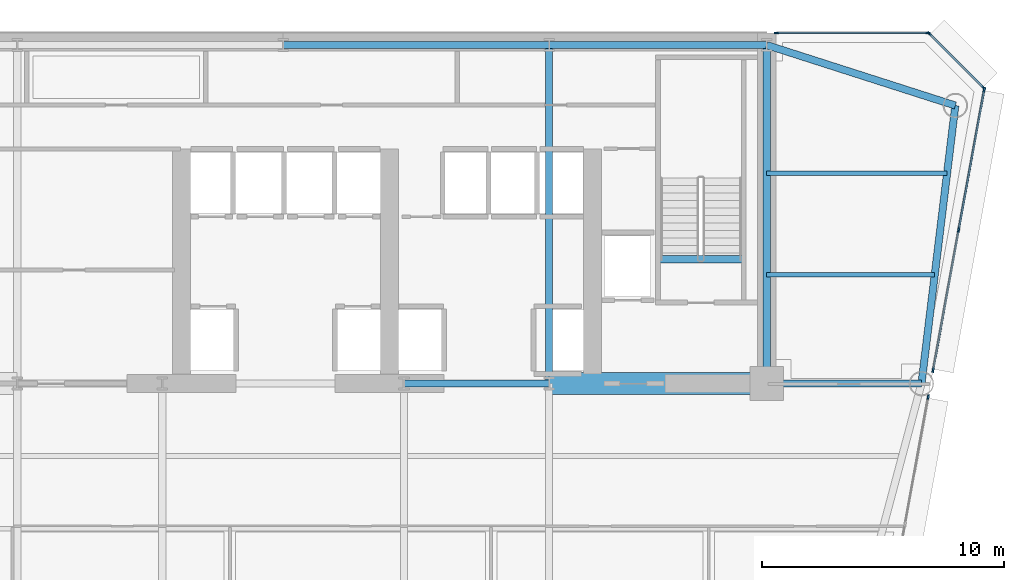
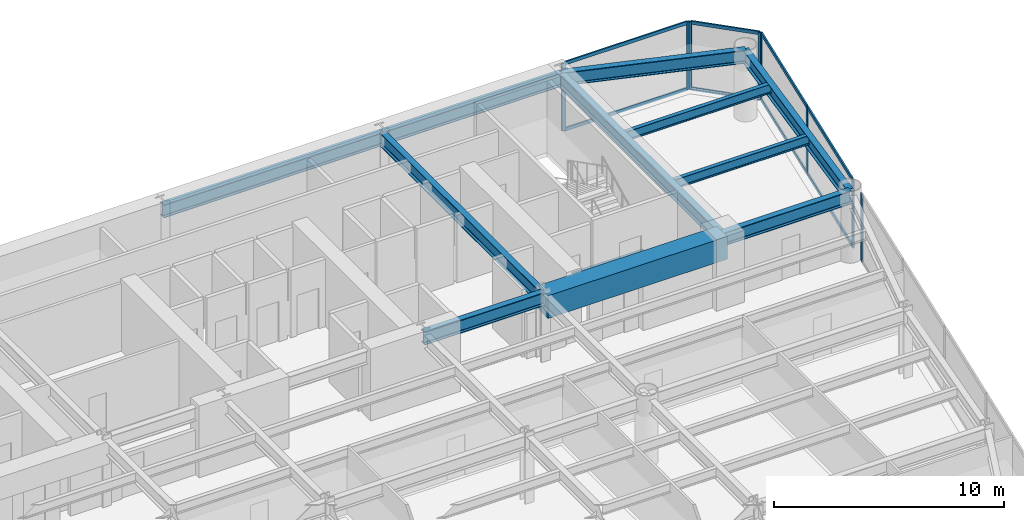
# One storey, part 6 of 14: 16 members, 12 beams, 4 elements without a shape of their own.
"""IFC4 building model written with IfcOpenShell, lengths in metres."""

from ifc_helpers import new_model, si_unit, direction, frame, origin, origin_2d, place, context, subcontext, project, spatial, rectangle, i_section, extrude, source, transform, mapped, material, layer, layer_set, material_profile, profile_set, type_object, element, aggregate, save


model = new_model("IFC4")

# Units and contexts
model_context = context("Model", 3, precision=1e-05, world=origin(), true_north=direction((0.0, 1.0)))
body_context = subcontext(model_context, "Body", "Model", "MODEL_VIEW")
ifc_project = project(units=[si_unit("LENGTHUNIT", "METRE"), si_unit("AREAUNIT", "SQUARE_METRE"), si_unit("VOLUMEUNIT", "CUBIC_METRE"), si_unit("PLANEANGLEUNIT", "RADIAN"), si_unit("MASSUNIT", "GRAM", prefix="KILO")], contexts=[model_context])

# Site, building, storey
site_placement = place(None, origin())
site = spatial("IfcSite", under=ifc_project, at=site_placement, CompositionType="ELEMENT")
building_placement = place(site_placement, origin())
building = spatial("IfcBuilding", under=site, at=building_placement, Name="Vaeldorn Concourse Tower", CompositionType="ELEMENT")
storey_placement = place(building_placement, frame((0.0, 0.0, 114.800048828125)))
storey = spatial("IfcBuildingStorey", under=building, at=storey_placement, Name="L29", CompositionType="ELEMENT", Elevation=114.800048828125)

# Beams
ifc_material_1 = material(Name="Concrete C60/75", Category="concrete")
ifc_material_profile_1 = material_profile(ifc_material_1, rectangle(XDim=0.89990234375, YDim=1.199951171875, at=origin_2d()), Name="RC 900x1200")
ifc_profile_set_1 = profile_set([ifc_material_profile_1], Name="Concrete C60/75")
beam_type_1 = type_object("IfcBeamType", Name="BM-CB-RC900", PredefinedType="BEAM", material=ifc_profile_set_1)
shared_shape_1 = source(origin(), body_context, "Body", "SweptSolid", [
    extrude(rectangle(XDim=0.89990234375, YDim=1.199951171875, at=origin_2d()), origin(), (0.0, 0.0, 1.0), 9.0),
])
beam_1_placement = place(storey_placement, frame((45.0, 36.5, 2.97998046875), z_axis=(1.0, 0.0, 0.0), x_axis=(0.0, 1.0, 0.0)))
element("IfcBeam", 1, at=beam_1_placement, inside=storey, type_object=beam_type_1, Name="Core Coupling Beam L29-2", PredefinedType="BEAM", context=body_context, shape_type="MappedRepresentation", body=[
    mapped(shared_shape_1, transform((0.0, 0.0, 0.0), scale=1.0)),
])
ifc_material_2 = material(Name="Steel S355", Category="steel")
ifc_material_profile_2 = material_profile(ifc_material_2, i_section(OverallWidth=0.300048828125, OverallDepth=0.340087890625, WebThickness=0.011962890625, FlangeThickness=0.021484375, FilletRadius=0.027099609375, at=origin_2d()), Name="HEB 340")
ifc_profile_set_2 = profile_set([ifc_material_profile_2], Name="Steel S355")
beam_type_2 = type_object("IfcBeamType", Name="BM-ST-TRIM", PredefinedType="BEAM", material=ifc_profile_set_2)
shared_shape_2 = source(origin(), body_context, "Body", "SweptSolid", [
    extrude(i_section(OverallWidth=0.300048828125, OverallDepth=0.340087890625, WebThickness=0.011962890625, FlangeThickness=0.021484375, FilletRadius=0.027099609375, at=origin_2d()), origin(), (0.0, 0.0, 1.0), 3.590087890625),
])
beam_2_placement = place(storey_placement, frame((49.47998046875, 41.639892578125, -0.39013671875), z_axis=(1.0, 0.0, 0.0), x_axis=(0.0, 1.0, 0.0)))
element("IfcBeam", 2, at=beam_2_placement, inside=storey, type_object=beam_type_2, Name="Stair Landing Trimmer Beam ST-2 L29", PredefinedType="BEAM", context=body_context, shape_type="MappedRepresentation", body=[
    mapped(shared_shape_2, transform((0.0, 0.0, 0.0), scale=1.0)),
])
ifc_material_profile_3 = material_profile(ifc_material_2, i_section(OverallWidth=0.199951171875, OverallDepth=0.5, WebThickness=0.01025390625, FlangeThickness=0.01611328125, FilletRadius=0.02099609375, at=origin_2d()), Name="IPE 500")
ifc_profile_set_3 = profile_set([ifc_material_profile_3], Name="Steel S355")
beam_type_3 = type_object("IfcBeamType", Name="BM-JS-IPE500", PredefinedType="JOIST", material=ifc_profile_set_3)
shared_shape_3 = source(origin(), body_context, "Body", "SweptSolid", [
    extrude(i_section(OverallWidth=0.199951171875, OverallDepth=0.5, WebThickness=0.01025390625, FlangeThickness=0.01611328125, FilletRadius=0.02099609375, at=origin_2d()), origin(), (0.0, 0.0, 1.0), 6.94775390625),
])
beam_3_placement = place(storey_placement, frame((54.0, 41.0, 3.329833984375), z_axis=(1.0, 0.0, 0.0), x_axis=(0.0, 1.0, 0.0)))
element("IfcBeam", 3, at=beam_3_placement, inside=storey, type_object=beam_type_3, Name="Beam JS-L29-NE-410", PredefinedType="JOIST", context=body_context, shape_type="MappedRepresentation", body=[
    mapped(shared_shape_3, transform((0.0, 0.0, 0.0), scale=1.0)),
])
shared_shape_4 = source(origin(), body_context, "Body", "SweptSolid", [
    extrude(i_section(OverallWidth=0.199951171875, OverallDepth=0.5, WebThickness=0.01025390625, FlangeThickness=0.01611328125, FilletRadius=0.02099609375, at=origin_2d()), origin(), (0.0, 0.0, 1.0), 7.458984375),
])
beam_4_placement = place(storey_placement, frame((54.0, 45.199951171875, 3.329833984375), z_axis=(1.0, 0.0, 0.0), x_axis=(0.0, 1.0, 0.0)))
element("IfcBeam", 4, at=beam_4_placement, inside=storey, type_object=beam_type_3, Name="Beam JS-L29-NE-452", PredefinedType="JOIST", context=body_context, shape_type="MappedRepresentation", body=[
    mapped(shared_shape_4, transform((0.0, 0.0, 0.0), scale=1.0)),
])
ifc_material_profile_4 = material_profile(ifc_material_2, i_section(OverallWidth=0.300048828125, OverallDepth=0.699951171875, WebThickness=0.01708984375, FlangeThickness=0.031982421875, FilletRadius=0.027099609375, at=origin_2d()), Name="HEB 700")
ifc_profile_set_4 = profile_set([ifc_material_profile_4], Name="Steel S355")
beam_type_4 = type_object("IfcBeamType", Name="BM-PG-HEB700", PredefinedType="BEAM", material=ifc_profile_set_4)
shared_shape_5 = source(origin(), body_context, "Body", "SweptSolid", [
    extrude(i_section(OverallWidth=0.300048828125, OverallDepth=0.699951171875, WebThickness=0.01708984375, FlangeThickness=0.031982421875, FilletRadius=0.027099609375, at=origin_2d()), origin(), (0.0, 0.0, 1.0), 6.0),
])
beam_5_placement = place(storey_placement, frame((39.0, 36.5, 3.22998046875), z_axis=(1.0, 0.0, 0.0), x_axis=(0.0, 1.0, 0.0)))
element("IfcBeam", 5, at=beam_5_placement, inside=storey, type_object=beam_type_4, Name="Beam BM-L29-C-FC4-C-FC5", PredefinedType="BEAM", context=body_context, shape_type="MappedRepresentation", body=[
    mapped(shared_shape_5, transform((0.0, 0.0, 0.0), scale=1.0)),
])
shared_shape_6 = source(origin(), body_context, "Body", "SweptSolid", [
    extrude(i_section(OverallWidth=0.300048828125, OverallDepth=0.699951171875, WebThickness=0.01708984375, FlangeThickness=0.031982421875, FilletRadius=0.027099609375, at=origin_2d()), origin(), (0.0, 0.0, 1.0), 9.0),
])
beam_6_placement = place(storey_placement, frame((45.0, 50.5, 3.22998046875), z_axis=(1.0, 0.0, 0.0), x_axis=(0.0, 1.0, 0.0)))
element("IfcBeam", 6, at=beam_6_placement, inside=storey, type_object=beam_type_4, Name="Beam BM-L29-C-HC4-C-HC5", PredefinedType="BEAM", context=body_context, shape_type="MappedRepresentation", body=[
    mapped(shared_shape_6, transform((0.0, 0.0, 0.0), scale=1.0)),
])
shared_shape_7 = source(origin(), body_context, "Body", "SweptSolid", [
    extrude(i_section(OverallWidth=0.300048828125, OverallDepth=0.699951171875, WebThickness=0.01708984375, FlangeThickness=0.031982421875, FilletRadius=0.027099609375, at=origin_2d()), origin(), (0.0, 0.0, 1.0), 11.0),
])
beam_7_placement = place(storey_placement, frame((34.0, 50.5, 3.22998046875), z_axis=(1.0, 0.0, 0.0), x_axis=(0.0, 1.0, 0.0)))
element("IfcBeam", 7, at=beam_7_placement, inside=storey, type_object=beam_type_4, Name="Beam BM-L29-C-HC3-C-HC4", PredefinedType="BEAM", context=body_context, shape_type="MappedRepresentation", body=[
    mapped(shared_shape_7, transform((0.0, 0.0, 0.0), scale=1.0)),
])
shared_shape_8 = source(origin(), body_context, "Body", "SweptSolid", [
    extrude(i_section(OverallWidth=0.300048828125, OverallDepth=0.699951171875, WebThickness=0.01708984375, FlangeThickness=0.031982421875, FilletRadius=0.027099609375, at=origin_2d()), origin(), (0.0, 0.0, 1.0), 14.0),
])
for number, where, z_axis, x_axis, name in (
    (8, (45.0, 36.5, 3.22998046875), (0.0, 1.0, 0.0), (-1.0, 0.0, 0.0), "Beam BM-L29-C-FC5-C-HC4"),
    (9, (54.0, 36.5, 3.22998046875), (0.0, 1.0, 0.0), (-1.0, 0.0, 0.0), "Beam BM-L29-C-FC6-C-HC5"),
):
    element("IfcBeam", number, at=place(storey_placement, frame(where, z_axis=z_axis, x_axis=x_axis)), inside=storey, type_object=beam_type_4, Name=name, PredefinedType="BEAM", context=body_context, shape_type="MappedRepresentation", body=[
        mapped(shared_shape_8, transform((0.0, 0.0, 0.0), scale=1.0)),
    ])
shared_shape_9 = source(origin(), body_context, "Body", "SweptSolid", [
    extrude(i_section(OverallWidth=0.300048828125, OverallDepth=0.699951171875, WebThickness=0.01708984375, FlangeThickness=0.031982421875, FilletRadius=0.027099609375, at=origin_2d()), origin(), (0.0, 0.0, 1.0), 8.19091796875),
])
beam_8_placement = place(storey_placement, frame((54.0, 50.5, 3.22998046875), z_axis=(0.952282843383, -0.305216949396, 0.0), x_axis=(0.305216949396, 0.952282843383, 0.0)))
element("IfcBeam", 10, at=beam_8_placement, inside=storey, type_object=beam_type_4, Name="Beam BM-L29-C-HC5-C-NE1", PredefinedType="BEAM", context=body_context, shape_type="MappedRepresentation", body=[
    mapped(shared_shape_9, transform((0.0, 0.0, 0.0), scale=1.0)),
])
shared_shape_10 = source(origin(), body_context, "Body", "SweptSolid", [
    extrude(i_section(OverallWidth=0.300048828125, OverallDepth=0.699951171875, WebThickness=0.01708984375, FlangeThickness=0.031982421875, FilletRadius=0.027099609375, at=origin_2d()), origin(), (0.0, 0.0, 1.0), 11.5849609375),
])
beam_9_placement = place(storey_placement, frame((61.800048828125, 48.0, 3.22998046875), z_axis=(-0.120859382899, -0.992669637677, 0.0), x_axis=(0.992669637677, -0.120859382899, 0.0)))
element("IfcBeam", 11, at=beam_9_placement, inside=storey, type_object=beam_type_4, Name="Beam BM-L29-C-NE1-C-NE2", PredefinedType="BEAM", context=body_context, shape_type="MappedRepresentation", body=[
    mapped(shared_shape_10, transform((0.0, 0.0, 0.0), scale=1.0)),
])
shared_shape_11 = source(origin(), body_context, "Body", "SweptSolid", [
    extrude(i_section(OverallWidth=0.300048828125, OverallDepth=0.699951171875, WebThickness=0.01708984375, FlangeThickness=0.031982421875, FilletRadius=0.027099609375, at=origin_2d()), origin(), (0.0, 0.0, 1.0), 6.39990234375),
])
beam_10_placement = place(storey_placement, frame((54.0, 36.5, 3.22998046875), z_axis=(1.0, 0.0, 0.0), x_axis=(0.0, 1.0, 0.0)))
element("IfcBeam", 12, at=beam_10_placement, inside=storey, type_object=beam_type_4, Name="Beam BM-L29-C-FC6-C-NE2", PredefinedType="BEAM", context=body_context, shape_type="MappedRepresentation", body=[
    mapped(shared_shape_11, transform((0.0, 0.0, 0.0), scale=1.0)),
])

# Curtain wall, members
ifc_material_3 = material(Name="Anodised Bronze Aluminium", Category="aluminium")
ifc_layer = layer(ifc_material_3, 0.199951171875)
ifc_layer_set = layer_set([ifc_layer], Name="Anodised Bronze Aluminium")
curtain_wall_type = type_object("IfcCurtainWallType", Name="CW-SYS-02", PredefinedType="NOTDEFINED", material=ifc_layer_set)
curtain_wall_1_placement = place(storey_placement, origin())
curtain_wall_1 = element("IfcCurtainWall", 13, at=curtain_wall_1_placement, inside=storey, type_object=curtain_wall_type, Name="Unitised Curtain Wall CW-L29-E08-1", PredefinedType="NOTDEFINED")
ifc_material_profile_5 = material_profile(ifc_material_3, rectangle(XDim=0.074951171875, YDim=0.179931640625, at=origin_2d()), Name="CWT 75x180")
ifc_profile_set_5 = profile_set([ifc_material_profile_5], Name="Anodised Bronze Aluminium")
member_type_1 = type_object("IfcMemberType", Name="CWT-BRONZE-180", PredefinedType="USERDEFINED", material=ifc_profile_set_5)
shared_shape_12 = source(origin(), body_context, "Body", "SweptSolid", [
    extrude(rectangle(XDim=0.074951171875, YDim=0.179931640625, at=origin_2d()), origin(), (0.0, 0.0, 1.0), 3.10302734375),
])
member_1_placement = place(storey_placement, frame((62.947021484375, 48.7529296875, 0.037353515625), z_axis=(-0.707106781187, 0.707106781187, 0.0), x_axis=(-0.707106781187, -0.707106781187, 0.0)))
member_1 = element("IfcMember", 14, at=member_1_placement, type_object=member_type_1, Name="CW-02 transom 1.1", ObjectType="TRANSOM", PredefinedType="USERDEFINED", context=body_context, shape_type="MappedRepresentation", body=[
    mapped(shared_shape_12, transform((0.0, 0.0, 0.0), scale=1.0)),
])
member_2_placement = place(storey_placement, frame((62.947021484375, 48.7529296875, 3.54248046875), z_axis=(-0.707106781187, 0.707106781187, 0.0), x_axis=(-0.707106781187, -0.707106781187, 0.0)))
member_2 = element("IfcMember", 15, at=member_2_placement, type_object=member_type_1, Name="CW-02 transom 1.2", ObjectType="TRANSOM", PredefinedType="USERDEFINED", context=body_context, shape_type="MappedRepresentation", body=[
    mapped(shared_shape_12, transform((0.0, 0.0, 0.0), scale=1.0)),
])

curtain_wall_2_placement = place(storey_placement, origin())
curtain_wall_2 = element("IfcCurtainWall", 16, at=curtain_wall_2_placement, inside=storey, type_object=curtain_wall_type, Name="Unitised Curtain Wall CW-L29-E09-1", PredefinedType="NOTDEFINED")
shared_shape_13 = source(origin(), body_context, "Body", "SweptSolid", [
    extrude(rectangle(XDim=0.074951171875, YDim=0.179931640625, at=origin_2d()), origin(), (0.0, 0.0, 1.0), 6.179931640625),
])
member_3_placement = place(storey_placement, frame((60.625, 51.0, 0.037353515625), z_axis=(-1.0, 0.0, 0.0), x_axis=(0.0, -1.0, 0.0)))
member_3 = element("IfcMember", 17, at=member_3_placement, type_object=member_type_1, Name="CW-02 transom 1.1", ObjectType="TRANSOM", PredefinedType="USERDEFINED", context=body_context, shape_type="MappedRepresentation", body=[
    mapped(shared_shape_13, transform((0.0, 0.0, 0.0), scale=1.0)),
])
member_4_placement = place(storey_placement, frame((60.625, 51.0, 3.54248046875), z_axis=(-1.0, 0.0, 0.0), x_axis=(0.0, -1.0, 0.0)))
member_4 = element("IfcMember", 18, at=member_4_placement, type_object=member_type_1, Name="CW-02 transom 1.2", ObjectType="TRANSOM", PredefinedType="USERDEFINED", context=body_context, shape_type="MappedRepresentation", body=[
    mapped(shared_shape_13, transform((0.0, 0.0, 0.0), scale=1.0)),
])

# Curtain wall, member
curtain_wall_3_placement = place(storey_placement, origin())
curtain_wall_3 = element("IfcCurtainWall", 19, at=curtain_wall_3_placement, inside=storey, type_object=curtain_wall_type, Name="Unitised Curtain Wall CW-L29-E07-1", PredefinedType="NOTDEFINED")
ifc_material_profile_6 = material_profile(ifc_material_3, rectangle(XDim=0.074951171875, YDim=0.18994140625, at=origin_2d()), Name="CWM 75x190")
ifc_profile_set_6 = profile_set([ifc_material_profile_6], Name="Anodised Bronze Aluminium")
member_type_2 = type_object("IfcMemberType", Name="CWM-BRONZE-190", PredefinedType="MULLION", material=ifc_profile_set_6)
shared_shape_14 = source(origin(), body_context, "Body", "SweptSolid", [
    extrude(rectangle(XDim=0.074951171875, YDim=0.18994140625, at=origin_2d()), origin(), (0.0, 0.0, 1.0), 3.579833984375),
])
member_5_placement = place(storey_placement, frame((60.677978515625, 35.945068359375, 0.0), z_axis=(0.0, 0.0, 1.0), x_axis=(-0.983827667432, 0.179117617213, 0.0)))
member_5 = element("IfcMember", 20, at=member_5_placement, type_object=member_type_2, Name="CW-02 mullion 7", PredefinedType="MULLION", context=body_context, shape_type="MappedRepresentation", body=[
    mapped(shared_shape_14, transform((0.0, 0.0, 0.0), scale=1.0)),
])
aggregate(curtain_wall_3, [member_5])

# Curtain wall, members
curtain_wall_4_placement = place(storey_placement, origin())
curtain_wall_4 = element("IfcCurtainWall", 21, at=curtain_wall_4_placement, inside=storey, type_object=curtain_wall_type, Name="Unitised Curtain Wall CW-L29-E07-2", PredefinedType="NOTDEFINED")
member_6_placement = place(storey_placement, frame((60.8798828125, 37.054931640625, 0.0), z_axis=(0.0, 0.0, 1.0), x_axis=(-0.983828381255, 0.179113696395, 0.0)))
member_6 = element("IfcMember", 22, at=member_6_placement, type_object=member_type_2, Name="CW-02 mullion 1", PredefinedType="MULLION", context=body_context, shape_type="MappedRepresentation", body=[
    mapped(shared_shape_14, transform((0.0, 0.0, 0.0), scale=1.0)),
])
member_7_placement = place(storey_placement, frame((61.9365234375, 42.85888671875, 0.0), z_axis=(0.0, 0.0, 1.0), x_axis=(-0.983828381255, 0.179113696395, 0.0)))
member_7 = element("IfcMember", 23, at=member_7_placement, type_object=member_type_2, Name="CW-02 mullion 2", PredefinedType="MULLION", context=body_context, shape_type="MappedRepresentation", body=[
    mapped(shared_shape_14, transform((0.0, 0.0, 0.0), scale=1.0)),
])
member_8_placement = place(storey_placement, frame((62.9931640625, 48.6630859375, 0.0), z_axis=(0.0, 0.0, 1.0), x_axis=(-0.983828381255, 0.179113696395, 0.0)))
member_8 = element("IfcMember", 24, at=member_8_placement, type_object=member_type_2, Name="CW-02 mullion 3", PredefinedType="MULLION", context=body_context, shape_type="MappedRepresentation", body=[
    mapped(shared_shape_14, transform((0.0, 0.0, 0.0), scale=1.0)),
])

# Member
member_9_placement = place(storey_placement, frame((62.973388671875, 48.7265625, 0.0), z_axis=(0.0, 0.0, 1.0), x_axis=(-0.707106781187, -0.707106781187, 0.0)))
member_9 = element("IfcMember", 25, at=member_9_placement, type_object=member_type_2, Name="CW-02 mullion 1", PredefinedType="MULLION", context=body_context, shape_type="MappedRepresentation", body=[
    mapped(shared_shape_14, transform((0.0, 0.0, 0.0), scale=1.0)),
])

member_10_placement = place(storey_placement, frame((60.7265625, 50.973388671875, 0.0), z_axis=(0.0, 0.0, 1.0), x_axis=(-0.707106781187, -0.707106781187, 0.0)))
member_10 = element("IfcMember", 26, at=member_10_placement, type_object=member_type_2, Name="CW-02 mullion 2", PredefinedType="MULLION", context=body_context, shape_type="MappedRepresentation", body=[
    mapped(shared_shape_14, transform((0.0, 0.0, 0.0), scale=1.0)),
])

aggregate(curtain_wall_1, [member_9, member_10, member_1, member_2])

member_11_placement = place(storey_placement, frame((60.66259765625, 51.0, 0.0), z_axis=(0.0, 0.0, 1.0), x_axis=(0.0, -1.0, 0.0)))
member_11 = element("IfcMember", 27, at=member_11_placement, type_object=member_type_2, Name="CW-02 mullion 1", PredefinedType="MULLION", context=body_context, shape_type="MappedRepresentation", body=[
    mapped(shared_shape_14, transform((0.0, 0.0, 0.0), scale=1.0)),
])

member_12_placement = place(storey_placement, frame((54.407470703125, 51.0, 0.0), z_axis=(0.0, 0.0, 1.0), x_axis=(0.0, -1.0, 0.0)))
member_12 = element("IfcMember", 28, at=member_12_placement, type_object=member_type_2, Name="CW-02 mullion 2", PredefinedType="MULLION", context=body_context, shape_type="MappedRepresentation", body=[
    mapped(shared_shape_14, transform((0.0, 0.0, 0.0), scale=1.0)),
])

aggregate(curtain_wall_2, [member_11, member_12, member_3, member_4])

shared_shape_15 = source(origin(), body_context, "Body", "SweptSolid", [
    extrude(rectangle(XDim=0.074951171875, YDim=0.179931640625, at=origin_2d()), origin(), (0.0, 0.0, 1.0), 5.824462890625),
])
member_13_placement = place(storey_placement, frame((60.88671875, 37.091796875, 0.037353515625), z_axis=(0.17911044285, 0.983828973583, 0.0), x_axis=(-0.983828973583, 0.17911044285, 0.0)))
member_13 = element("IfcMember", 29, at=member_13_placement, type_object=member_type_1, Name="CW-02 transom 1.1", ObjectType="TRANSOM", PredefinedType="USERDEFINED", context=body_context, shape_type="MappedRepresentation", body=[
    mapped(shared_shape_15, transform((0.0, 0.0, 0.0), scale=1.0)),
])

member_14_placement = place(storey_placement, frame((60.88671875, 37.091796875, 3.54248046875), z_axis=(0.17911044285, 0.983828973583, 0.0), x_axis=(-0.983828973583, 0.17911044285, 0.0)))
member_14 = element("IfcMember", 30, at=member_14_placement, type_object=member_type_1, Name="CW-02 transom 1.2", ObjectType="TRANSOM", PredefinedType="USERDEFINED", context=body_context, shape_type="MappedRepresentation", body=[
    mapped(shared_shape_15, transform((0.0, 0.0, 0.0), scale=1.0)),
])

member_15_placement = place(storey_placement, frame((61.943359375, 42.89599609375, 0.037353515625), z_axis=(0.17911044285, 0.983828973583, 0.0), x_axis=(-0.983828973583, 0.17911044285, 0.0)))
member_15 = element("IfcMember", 31, at=member_15_placement, type_object=member_type_1, Name="CW-02 transom 2.1", ObjectType="TRANSOM", PredefinedType="USERDEFINED", context=body_context, shape_type="MappedRepresentation", body=[
    mapped(shared_shape_15, transform((0.0, 0.0, 0.0), scale=1.0)),
])

member_16_placement = place(storey_placement, frame((61.943359375, 42.89599609375, 3.54248046875), z_axis=(0.17911044285, 0.983828973583, 0.0), x_axis=(-0.983828973583, 0.17911044285, 0.0)))
member_16 = element("IfcMember", 32, at=member_16_placement, type_object=member_type_1, Name="CW-02 transom 2.2", ObjectType="TRANSOM", PredefinedType="USERDEFINED", context=body_context, shape_type="MappedRepresentation", body=[
    mapped(shared_shape_15, transform((0.0, 0.0, 0.0), scale=1.0)),
])

aggregate(curtain_wall_4, [member_6, member_7, member_8, member_13, member_14, member_15, member_16])

save(model, "model.ifc")
